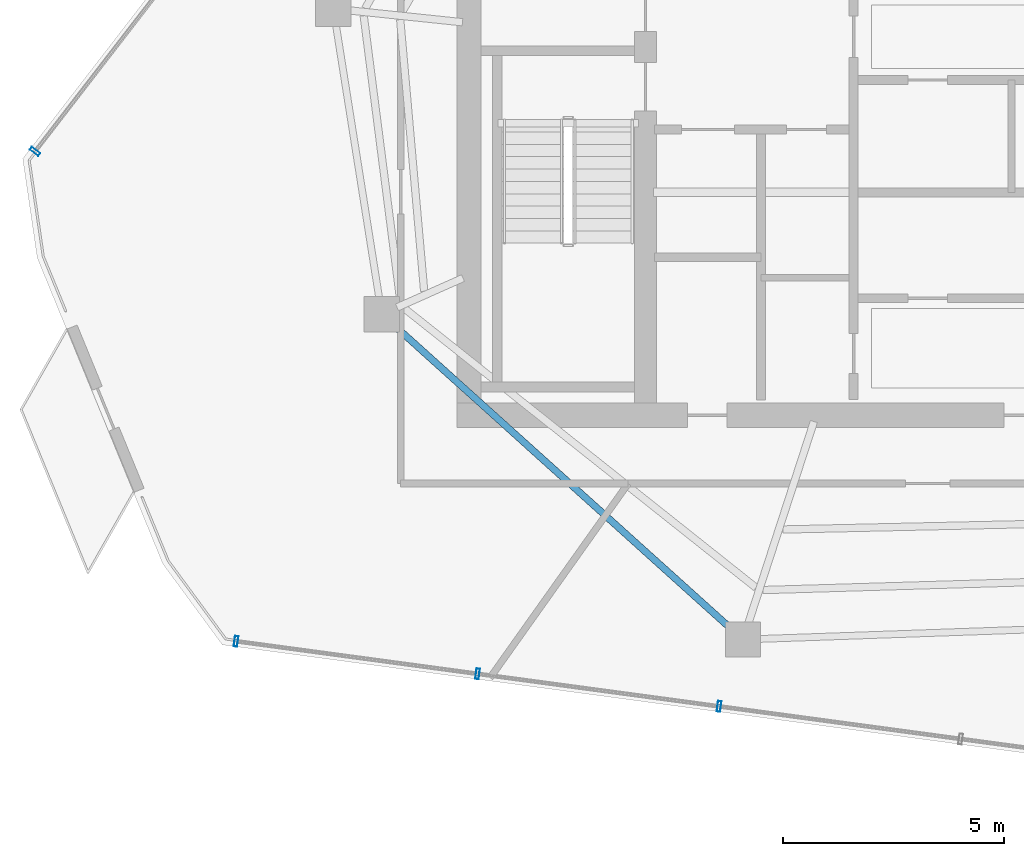
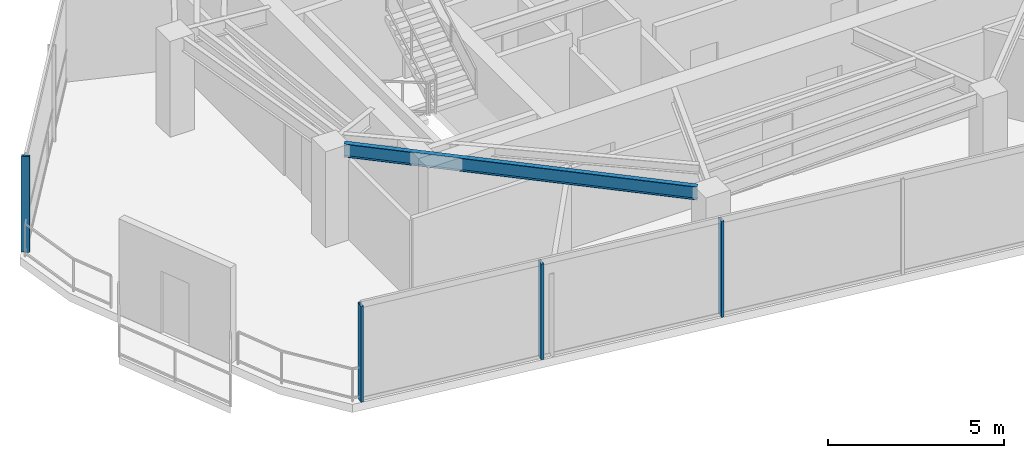
# One storey, part 2 of 19: 4 members, 1 beam, 2 elements without a shape of their own.
"""IFC4 building model written with IfcOpenShell, lengths in metres."""

from ifc_helpers import new_model, si_unit, direction, frame, origin, origin_2d, place, context, subcontext, project, spatial, hollow_rectangle, i_section, extrude, material, layer, layer_set, material_profile, profile_set, type_object, element, aggregate, save


model = new_model("IFC4")

# Units and contexts
model_context = context("Model", 3, precision=1e-05, world=origin(), true_north=direction((0.0, 1.0)))
body_context = subcontext(model_context, "Body", "Model", "MODEL_VIEW")
ifc_project = project(units=[si_unit("LENGTHUNIT", "METRE"), si_unit("AREAUNIT", "SQUARE_METRE"), si_unit("VOLUMEUNIT", "CUBIC_METRE"), si_unit("PLANEANGLEUNIT", "RADIAN"), si_unit("MASSUNIT", "GRAM", prefix="KILO")], contexts=[model_context])

# Site, building, storey
site_placement = place(None, origin())
site = spatial("IfcSite", under=ifc_project, at=site_placement, CompositionType="ELEMENT")
building_placement = place(site_placement, origin())
building = spatial("IfcBuilding", under=site, at=building_placement, Name="Qarnah Convention Tower", CompositionType="ELEMENT")
storey_placement = place(building_placement, frame((0.0, 0.0, 264.300048828125)))
storey = spatial("IfcBuildingStorey", under=building, at=storey_placement, Name="L71", CompositionType="ELEMENT", Elevation=264.300048828125)

# Beam
ifc_material_1 = material(Name="Structural steel S355JR", Category="steel")
ifc_material_profile_1 = material_profile(ifc_material_1, i_section(OverallWidth=0.154052734375, OverallDepth=0.4599609375, WebThickness=0.009033203125, FlangeThickness=0.014892578125, at=origin_2d()), Name="W460X68")
ifc_profile_set_1 = profile_set([ifc_material_profile_1], Name="Structural steel S355JR")
beam_type = type_object("IfcBeamType", Name="BM-SPN-W460B", PredefinedType="SPANDREL", material=ifc_profile_set_1)
beam_placement = place(storey_placement, frame((25.111083984375, 20.6279296875, 3.08984375), z_axis=(0.743130570512, -0.669146437762, 0.0), x_axis=(0.669146437762, 0.743130570512, 0.0)))
element("IfcBeam", 1, at=beam_placement, inside=storey, type_object=beam_type, Name="L71 spandrel BM-L71-SPN-06", PredefinedType="SPANDREL", context=body_context, shape_type="SweptSolid", body=[
    extrude(i_section(OverallWidth=0.154052734375, OverallDepth=0.4599609375, WebThickness=0.009033203125, FlangeThickness=0.014892578125, at=origin_2d()), origin(), (0.0, 0.0, 1.0), 10.242919921875),
])

# Curtain wall, member
ifc_material_2 = material(Name="Tempered Low-E dark glass", Category="glass")
ifc_layer = layer(ifc_material_2, 0.176025390625)
ifc_layer_set = layer_set([ifc_layer], Name="Tempered Low-E dark glass")
curtain_wall_type = type_object("IfcCurtainWallType", Name="CWS-05", PredefinedType="NOTDEFINED", material=ifc_layer_set)
curtain_wall_1_placement = place(storey_placement, origin())
curtain_wall_1 = element("IfcCurtainWall", 2, at=curtain_wall_1_placement, inside=storey, type_object=curtain_wall_type, Name="L71 unitised curtain wall CW-L71-F2", PredefinedType="NOTDEFINED")
ifc_material_3 = material(Name="Black anodised aluminium", Category="aluminium")
ifc_material_profile_2 = material_profile(ifc_material_3, hollow_rectangle(XDim=0.080078125, YDim=0.239990234375, WallThickness=0.0048828125, at=origin_2d()), Name="MUL-80X240")
ifc_profile_set_2 = profile_set([ifc_material_profile_2], Name="Black anodised aluminium")
member_type = type_object("IfcMemberType", Name="MUL-T5", PredefinedType="MULLION", material=ifc_profile_set_2)
member_1_placement = place(storey_placement, frame((16.9580078125, 24.580078125, 0.0), z_axis=(0.0, 0.0, 1.0), x_axis=(0.611290898886, 0.79140598743, 0.0)))
member_1 = element("IfcMember", 3, at=member_1_placement, type_object=member_type, Name="CW-L71-F2 mullion 1", PredefinedType="MULLION", context=body_context, shape_type="SweptSolid", body=[
    extrude(hollow_rectangle(XDim=0.080078125, YDim=0.239990234375, WallThickness=0.0048828125, at=origin_2d()), origin(), (0.0, 0.0, 1.0), 3.320068359375),
])
aggregate(curtain_wall_1, [member_1])

# Curtain wall, members
curtain_wall_2_placement = place(storey_placement, origin())
curtain_wall_2 = element("IfcCurtainWall", 4, at=curtain_wall_2_placement, inside=storey, type_object=curtain_wall_type, Name="L71 unitised curtain wall CW-L71-F3", PredefinedType="NOTDEFINED")
member_2_placement = place(storey_placement, frame((32.469482421875, 11.995849609375, 0.0), z_axis=(0.0, 0.0, 1.0), x_axis=(-0.991025376797, 0.133673866348, 0.0)))
member_2 = element("IfcMember", 5, at=member_2_placement, type_object=member_type, Name="CW-L71-F3 mullion 4", PredefinedType="MULLION", context=body_context, shape_type="SweptSolid", body=[
    extrude(hollow_rectangle(XDim=0.080078125, YDim=0.239990234375, WallThickness=0.0048828125, at=origin_2d()), origin(), (0.0, 0.0, 1.0), 3.320068359375),
])
member_3_placement = place(storey_placement, frame((26.993896484375, 12.734375, 0.0), z_axis=(0.0, 0.0, 1.0), x_axis=(-0.991025376797, 0.133673866348, 0.0)))
member_3 = element("IfcMember", 6, at=member_3_placement, type_object=member_type, Name="CW-L71-F3 mullion 5", PredefinedType="MULLION", context=body_context, shape_type="SweptSolid", body=[
    extrude(hollow_rectangle(XDim=0.080078125, YDim=0.239990234375, WallThickness=0.0048828125, at=origin_2d()), origin(), (0.0, 0.0, 1.0), 3.320068359375),
])
member_4_placement = place(storey_placement, frame((21.51806640625, 13.472900390625, 0.0), z_axis=(0.0, 0.0, 1.0), x_axis=(-0.991025376797, 0.133673866348, 0.0)))
member_4 = element("IfcMember", 7, at=member_4_placement, type_object=member_type, Name="CW-L71-F3 mullion 6", PredefinedType="MULLION", context=body_context, shape_type="SweptSolid", body=[
    extrude(hollow_rectangle(XDim=0.080078125, YDim=0.239990234375, WallThickness=0.0048828125, at=origin_2d()), origin(), (0.0, 0.0, 1.0), 3.320068359375),
])
aggregate(curtain_wall_2, [member_2, member_3, member_4])

save(model, "model.ifc")
